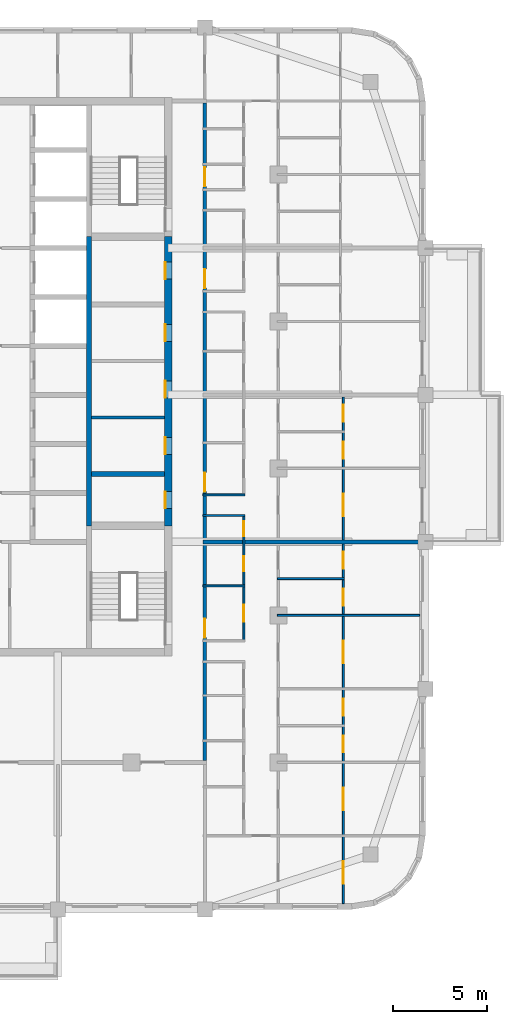
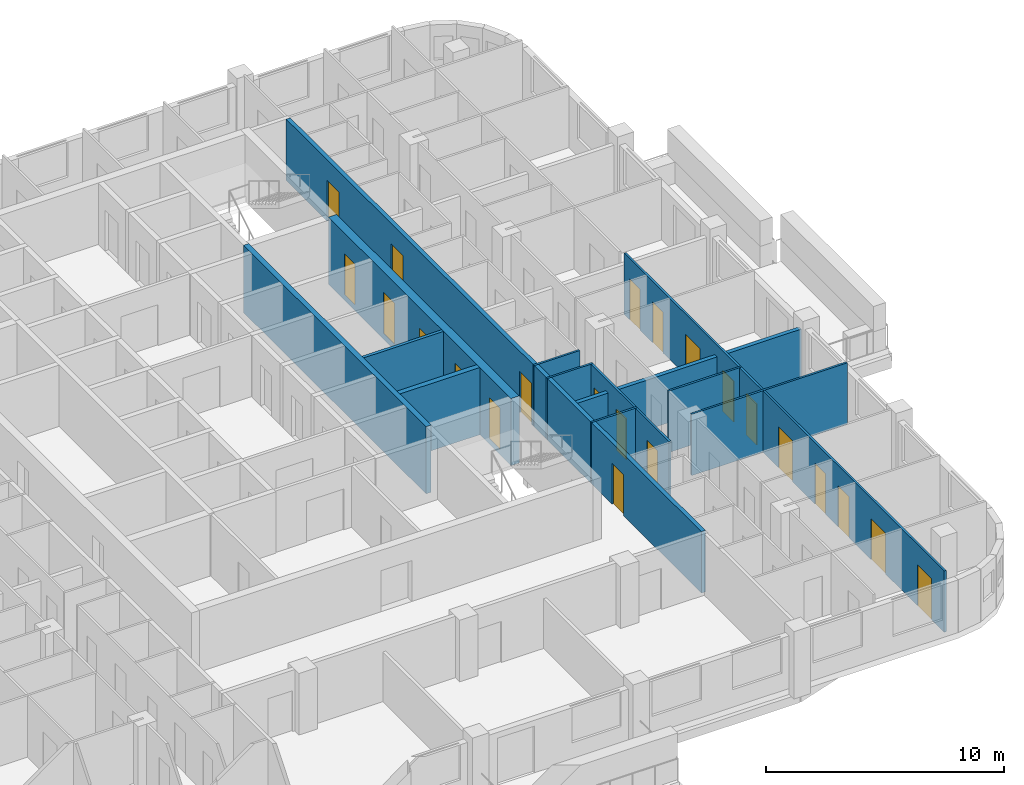
# One storey, part 6 of 15: 22 doors, 13 walls, 22 openings.
"""IFC4 building model written with IfcOpenShell, lengths in metres."""

from ifc_helpers import new_model, si_unit, direction, frame, frame_2d, origin, place, context, subcontext, project, spatial, rectangle, extrude, material, layer, layer_set, type_object, element, fill, save


model = new_model("IFC4")

# Units and contexts
model_context = context("Model", 3, precision=1e-05, world=origin(), true_north=direction((0.0, 1.0)))
body_context = subcontext(model_context, "Body", "Model", "MODEL_VIEW")
ifc_project = project(units=[si_unit("LENGTHUNIT", "METRE"), si_unit("AREAUNIT", "SQUARE_METRE"), si_unit("VOLUMEUNIT", "CUBIC_METRE"), si_unit("PLANEANGLEUNIT", "RADIAN"), si_unit("MASSUNIT", "GRAM", prefix="KILO")], contexts=[model_context])

# Site, building, storey
site_placement = place(None, origin())
site = spatial("IfcSite", under=ifc_project, at=site_placement, CompositionType="ELEMENT")
building_placement = place(site_placement, origin())
building = spatial("IfcBuilding", under=site, at=building_placement, Name="Ludao Terraces", CompositionType="ELEMENT")
storey_placement = place(building_placement, frame((0.0, 0.0, 197.300048828125)))
storey = spatial("IfcBuildingStorey", under=building, at=storey_placement, Name="L53", CompositionType="ELEMENT", Elevation=197.300048828125)

# Wall, openings, doors
ifc_material_1 = material(Name="Concrete C50", Category="concrete")
ifc_layer_1 = layer(ifc_material_1, 0.39990234375)
ifc_layer_set_1 = layer_set([ifc_layer_1], Name="Core wall 400 C50")
wall_type_1 = type_object("IfcWallType", Name="Core wall 400 C50", PredefinedType="SOLIDWALL", material=ifc_layer_set_1)
wall_1_placement = place(storey_placement, frame((94.75, 61.949951171875, -0.300048828125), z_axis=(0.0, 0.0, 1.0), x_axis=(0.0, 1.0, 0.0)))
wall_1 = element("IfcWall", 1, at=wall_1_placement, inside=storey, type_object=wall_type_1, Name="Core wall L53 outer-E", PredefinedType="SOLIDWALL", context=body_context, shape_type="SweptSolid", body=[
    extrude(rectangle(XDim=15.35009765625, YDim=0.39990234375, at=frame_2d((7.675048828125, 0.0))), origin(), (0.0, 0.0, 1.0), 3.449951171875),
])
opening_1_placement = place(wall_1_placement, frame((0.925048828125, 0.0, 0.300048828125)))
opening_1 = element("IfcOpeningElement", 2, at=opening_1_placement, cuts=wall_1, Name="Opening R19-057", PredefinedType="OPENING", context=body_context, shape_type="SweptSolid", body=[
    extrude(rectangle(XDim=0.89990234375, YDim=2.10009765625, at=frame_2d((0.449951171875, 1.050048828125))), frame((0.0, 0.2099609375, 0.0), z_axis=(0.0, -1.0, 0.0), x_axis=(1.0, 0.0, 0.0)), (0.0, 0.0, 1.0), 0.419921875),
])
opening_2_placement = place(wall_1_placement, frame((3.800048828125, 0.0, 0.300048828125)))
opening_2 = element("IfcOpeningElement", 3, at=opening_2_placement, cuts=wall_1, Name="Opening R19-067", PredefinedType="OPENING", context=body_context, shape_type="SweptSolid", body=[
    extrude(rectangle(XDim=0.89990234375, YDim=2.10009765625, at=frame_2d((0.449951171875, 1.050048828125))), frame((0.0, 0.2099609375, 0.0), z_axis=(0.0, -1.0, 0.0), x_axis=(1.0, 0.0, 0.0)), (0.0, 0.0, 1.0), 0.419921875),
])
opening_3_placement = place(wall_1_placement, frame((6.800048828125, 0.0, 0.300048828125)))
opening_3 = element("IfcOpeningElement", 4, at=opening_3_placement, cuts=wall_1, Name="Opening R19-078", PredefinedType="OPENING", context=body_context, shape_type="SweptSolid", body=[
    extrude(rectangle(XDim=0.89990234375, YDim=2.10009765625, at=frame_2d((0.449951171875, 1.050048828125))), frame((0.0, 0.2099609375, 0.0), z_axis=(0.0, -1.0, 0.0), x_axis=(1.0, 0.0, 0.0)), (0.0, 0.0, 1.0), 0.419921875),
])
opening_4_placement = place(wall_1_placement, frame((9.800048828125, 0.0, 0.300048828125)))
opening_4 = element("IfcOpeningElement", 5, at=opening_4_placement, cuts=wall_1, Name="Opening R19-089", PredefinedType="OPENING", context=body_context, shape_type="SweptSolid", body=[
    extrude(rectangle(XDim=0.89990234375, YDim=2.10009765625, at=frame_2d((0.449951171875, 1.050048828125))), frame((0.0, 0.2099609375, 0.0), z_axis=(0.0, -1.0, 0.0), x_axis=(1.0, 0.0, 0.0)), (0.0, 0.0, 1.0), 0.419921875),
])
opening_5_placement = place(wall_1_placement, frame((13.10009765625, 0.0, 0.300048828125)))
opening_5 = element("IfcOpeningElement", 6, at=opening_5_placement, cuts=wall_1, Name="Opening R19-101", PredefinedType="OPENING", context=body_context, shape_type="SweptSolid", body=[
    extrude(rectangle(XDim=0.89990234375, YDim=2.10009765625, at=frame_2d((0.449951171875, 1.050048828125))), frame((0.0, 0.2099609375, 0.0), z_axis=(0.0, -1.0, 0.0), x_axis=(1.0, 0.0, 0.0)), (0.0, 0.0, 1.0), 0.419921875),
])
ifc_material_2 = material(Name="Steel Q235", Category="steel")
door_type_1 = type_object("IfcDoorType", Name="INT Riser door 900", OperationType="SINGLE_SWING_LEFT", PredefinedType="DOOR", material=ifc_material_2)
door_1_placement = place(opening_1_placement, origin())
door_1 = element("IfcDoor", 7, at=door_1_placement, inside=storey, type_object=door_type_1, Name="DOOR 057", OperationType="SINGLE_SWING_LEFT", OverallHeight=2.10009765625, OverallWidth=0.89990234375, PredefinedType="DOOR", context=body_context, shape_type="SweptSolid", body=[
    extrude(rectangle(XDim=0.89990234375, YDim=2.10009765625, at=frame_2d((0.449951171875, 1.050048828125))), frame((0.0, 0.18505859375, 0.0), z_axis=(0.0, -1.0, 0.0), x_axis=(1.0, 0.0, 0.0)), (0.0, 0.0, 1.0), 0.050048828125),
])
fill(opening_1, door_1)
door_2_placement = place(opening_5_placement, origin())
door_2 = element("IfcDoor", 8, at=door_2_placement, inside=storey, type_object=door_type_1, Name="DOOR 101", OperationType="SINGLE_SWING_RIGHT", OverallHeight=2.10009765625, OverallWidth=0.89990234375, PredefinedType="DOOR", context=body_context, shape_type="SweptSolid", body=[
    extrude(rectangle(XDim=0.89990234375, YDim=2.10009765625, at=frame_2d((0.449951171875, 1.050048828125))), frame((0.0, 0.18505859375, 0.0), z_axis=(0.0, -1.0, 0.0), x_axis=(1.0, 0.0, 0.0)), (0.0, 0.0, 1.0), 0.050048828125),
])
fill(opening_5, door_2)
ifc_material_3 = material(Name="Timber door leaf", Category="wood")
door_type_2 = type_object("IfcDoorType", Name="INT Room door 900", OperationType="SINGLE_SWING_LEFT", PredefinedType="DOOR", material=ifc_material_3)
door_3_placement = place(opening_2_placement, origin())
door_3 = element("IfcDoor", 9, at=door_3_placement, inside=storey, type_object=door_type_2, Name="DOOR 067", OperationType="SINGLE_SWING_LEFT", OverallHeight=2.10009765625, OverallWidth=0.89990234375, PredefinedType="DOOR", context=body_context, shape_type="SweptSolid", body=[
    extrude(rectangle(XDim=0.89990234375, YDim=2.10009765625, at=frame_2d((0.449951171875, 1.050048828125))), frame((0.0, 0.18505859375, 0.0), z_axis=(0.0, -1.0, 0.0), x_axis=(1.0, 0.0, 0.0)), (0.0, 0.0, 1.0), 0.050048828125),
])
fill(opening_2, door_3)
door_4_placement = place(opening_3_placement, origin())
door_4 = element("IfcDoor", 10, at=door_4_placement, inside=storey, type_object=door_type_2, Name="DOOR 078", OperationType="SINGLE_SWING_RIGHT", OverallHeight=2.10009765625, OverallWidth=0.89990234375, PredefinedType="DOOR", context=body_context, shape_type="SweptSolid", body=[
    extrude(rectangle(XDim=0.89990234375, YDim=2.10009765625, at=frame_2d((0.449951171875, 1.050048828125))), frame((0.0, 0.18505859375, 0.0), z_axis=(0.0, -1.0, 0.0), x_axis=(1.0, 0.0, 0.0)), (0.0, 0.0, 1.0), 0.050048828125),
])
fill(opening_3, door_4)
door_5_placement = place(opening_4_placement, origin())
door_5 = element("IfcDoor", 11, at=door_5_placement, inside=storey, type_object=door_type_2, Name="DOOR 089", OperationType="SINGLE_SWING_RIGHT", OverallHeight=2.10009765625, OverallWidth=0.89990234375, PredefinedType="DOOR", context=body_context, shape_type="SweptSolid", body=[
    extrude(rectangle(XDim=0.89990234375, YDim=2.10009765625, at=frame_2d((0.449951171875, 1.050048828125))), frame((0.0, 0.18505859375, 0.0), z_axis=(0.0, -1.0, 0.0), x_axis=(1.0, 0.0, 0.0)), (0.0, 0.0, 1.0), 0.050048828125),
])
fill(opening_4, door_5)

# Wall
ifc_material_4 = material(Name="Fire-rated gypsum plasterboard", Category="gypsum")
ifc_layer_2 = layer(ifc_material_4, 0.012451171875, Category="gypsum")
ifc_material_5 = material(Name="Mineral wool")
ifc_layer_3 = layer(ifc_material_5, 0.10009765625, Name="insulation")
ifc_layer_4 = layer(ifc_material_2, 0.02490234375, Name="stud")
ifc_layer_5 = layer(ifc_material_4, 0.012451171875, Category="gypsum")
ifc_layer_set_2 = layer_set([ifc_layer_2, ifc_layer_3, ifc_layer_4, ifc_layer_5], Name="INT Core partition 150")
wall_type_2 = type_object("IfcWallType", Name="INT Core partition 150", PredefinedType="PARTITIONING", material=ifc_layer_set_2)
wall_2_placement = place(storey_placement, frame((90.675048828125, 67.699951171875, 0.0), z_axis=(0.0, 0.0, 1.0), x_axis=(1.0, 0.0, 0.0)))
element("IfcWall", 12, at=wall_2_placement, inside=storey, type_object=wall_type_2, Name="PW-L53-PW039", PredefinedType="PARTITIONING", context=body_context, shape_type="SweptSolid", body=[
    extrude(rectangle(XDim=3.875, YDim=0.14990234375, at=frame_2d((1.9375, 0.0))), origin(), (0.0, 0.0, 1.0), 3.14990234375),
])

# Wall, openings, doors
ifc_material_6 = material(Name="Autoclaved aerated concrete block B06 A3.5", Category="concrete")
ifc_layer_6 = layer(ifc_material_6, 0.199951171875)
ifc_layer_set_3 = layer_set([ifc_layer_6], Name="INT Entrance wall 200")
wall_type_3 = type_object("IfcWallType", Name="INT Entrance wall 200", PredefinedType="PARTITIONING", material=ifc_layer_set_3)
wall_3_placement = place(storey_placement, frame((96.699951171875, 49.5, 0.0), z_axis=(0.0, 0.0, 1.0), x_axis=(0.0, 1.0, 0.0)))
wall_3 = element("IfcWall", 13, at=wall_3_placement, inside=storey, type_object=wall_type_3, Name="PW-L53-PW095", PredefinedType="PARTITIONING", context=body_context, shape_type="SweptSolid", body=[
    extrude(rectangle(XDim=34.900146484375, YDim=0.199951171875, at=frame_2d((17.4501953125, 0.0))), origin(), (0.0, 0.0, 1.0), 3.14990234375),
])
opening_6_placement = place(wall_3_placement, frame((6.525146484375, 0.0, 0.0)))
opening_6 = element("IfcOpeningElement", 14, at=opening_6_placement, cuts=wall_3, Name="Opening R19-034", PredefinedType="OPENING", context=body_context, shape_type="SweptSolid", body=[
    extrude(rectangle(XDim=1.0, YDim=2.10009765625, at=frame_2d((0.5, 1.050048828125))), frame((0.0, 0.10986328125, 0.0), z_axis=(0.0, -1.0, 0.0), x_axis=(1.0, 0.0, 0.0)), (0.0, 0.0, 1.0), 0.219970703125),
])
opening_7_placement = place(wall_3_placement, frame((14.275146484375, 0.0, 0.0)))
opening_7 = element("IfcOpeningElement", 15, at=opening_7_placement, cuts=wall_3, Name="Opening R19-061", PredefinedType="OPENING", context=body_context, shape_type="SweptSolid", body=[
    extrude(rectangle(XDim=1.0, YDim=2.10009765625, at=frame_2d((0.5, 1.050048828125))), frame((0.0, 0.10986328125, 0.0), z_axis=(0.0, -1.0, 0.0), x_axis=(1.0, 0.0, 0.0)), (0.0, 0.0, 1.0), 0.219970703125),
])
opening_8_placement = place(wall_3_placement, frame((25.0751953125, 0.0, 0.0)))
opening_8 = element("IfcOpeningElement", 16, at=opening_8_placement, cuts=wall_3, Name="Opening R19-096", PredefinedType="OPENING", context=body_context, shape_type="SweptSolid", body=[
    extrude(rectangle(XDim=1.0, YDim=2.10009765625, at=frame_2d((0.5, 1.050048828125))), frame((0.0, 0.10986328125, 0.0), z_axis=(0.0, -1.0, 0.0), x_axis=(1.0, 0.0, 0.0)), (0.0, 0.0, 1.0), 0.219970703125),
])
opening_9_placement = place(wall_3_placement, frame((30.47509765625, 0.0, 0.0)))
opening_9 = element("IfcOpeningElement", 17, at=opening_9_placement, cuts=wall_3, Name="Opening R19-121", PredefinedType="OPENING", context=body_context, shape_type="SweptSolid", body=[
    extrude(rectangle(XDim=1.0, YDim=2.10009765625, at=frame_2d((0.5, 1.050048828125))), frame((0.0, 0.10986328125, 0.0), z_axis=(0.0, -1.0, 0.0), x_axis=(1.0, 0.0, 0.0)), (0.0, 0.0, 1.0), 0.219970703125),
])
door_type_3 = type_object("IfcDoorType", Name="INT Flat entrance door 1000", OperationType="SINGLE_SWING_LEFT", PredefinedType="DOOR", material=ifc_material_2)
door_6_placement = place(opening_6_placement, origin())
door_6 = element("IfcDoor", 18, at=door_6_placement, inside=storey, type_object=door_type_3, Name="DOOR 034", OperationType="SINGLE_SWING_LEFT", OverallHeight=2.10009765625, OverallWidth=1.0, PredefinedType="DOOR", context=body_context, shape_type="SweptSolid", body=[
    extrude(rectangle(XDim=1.0, YDim=2.10009765625, at=frame_2d((0.5, 1.050048828125))), frame((0.0, 0.02490234375, 0.0), z_axis=(0.0, -1.0, 0.0), x_axis=(1.0, 0.0, 0.0)), (0.0, 0.0, 1.0), 0.050048828125),
])
fill(opening_6, door_6)
door_7_placement = place(opening_7_placement, origin())
door_7 = element("IfcDoor", 19, at=door_7_placement, inside=storey, type_object=door_type_3, Name="DOOR 061", OperationType="SINGLE_SWING_LEFT", OverallHeight=2.10009765625, OverallWidth=1.0, PredefinedType="DOOR", context=body_context, shape_type="SweptSolid", body=[
    extrude(rectangle(XDim=1.0, YDim=2.10009765625, at=frame_2d((0.5, 1.050048828125))), frame((0.0, 0.02490234375, 0.0), z_axis=(0.0, -1.0, 0.0), x_axis=(1.0, 0.0, 0.0)), (0.0, 0.0, 1.0), 0.050048828125),
])
fill(opening_7, door_7)
door_8_placement = place(opening_8_placement, origin())
door_8 = element("IfcDoor", 20, at=door_8_placement, inside=storey, type_object=door_type_3, Name="DOOR 096", OperationType="SINGLE_SWING_LEFT", OverallHeight=2.10009765625, OverallWidth=1.0, PredefinedType="DOOR", context=body_context, shape_type="SweptSolid", body=[
    extrude(rectangle(XDim=1.0, YDim=2.10009765625, at=frame_2d((0.5, 1.050048828125))), frame((0.0, 0.02490234375, 0.0), z_axis=(0.0, -1.0, 0.0), x_axis=(1.0, 0.0, 0.0)), (0.0, 0.0, 1.0), 0.050048828125),
])
fill(opening_8, door_8)
door_9_placement = place(opening_9_placement, origin())
door_9 = element("IfcDoor", 21, at=door_9_placement, inside=storey, type_object=door_type_3, Name="DOOR 121", OperationType="SINGLE_SWING_LEFT", OverallHeight=2.10009765625, OverallWidth=1.0, PredefinedType="DOOR", context=body_context, shape_type="SweptSolid", body=[
    extrude(rectangle(XDim=1.0, YDim=2.10009765625, at=frame_2d((0.5, 1.050048828125))), frame((0.0, 0.02490234375, 0.0), z_axis=(0.0, -1.0, 0.0), x_axis=(1.0, 0.0, 0.0)), (0.0, 0.0, 1.0), 0.050048828125),
])
fill(opening_9, door_9)

# Walls
ifc_material_7 = material(Name="Gypsum plasterboard", Category="gypsum")
ifc_layer_7 = layer(ifc_material_7, 0.012451171875, Category="gypsum")
ifc_layer_8 = layer(ifc_material_5, 0.06005859375, Name="insulation")
ifc_layer_9 = layer(ifc_material_2, 0.014892578125, Name="stud")
ifc_layer_10 = layer(ifc_material_7, 0.012451171875, Category="gypsum")
ifc_layer_set_4 = layer_set([ifc_layer_7, ifc_layer_8, ifc_layer_9, ifc_layer_10], Name="INT Partition 100")
wall_type_4 = type_object("IfcWallType", Name="INT Partition 100", PredefinedType="PARTITIONING", material=ifc_layer_set_4)
wall_4_placement = place(storey_placement, frame((100.550048828125, 57.199951171875, 0.0), z_axis=(0.0, 0.0, 1.0), x_axis=(1.0, 0.0, 0.0)))
element("IfcWall", 22, at=wall_4_placement, inside=storey, type_object=wall_type_4, Name="PW-L53-PW019", PredefinedType="PARTITIONING", context=body_context, shape_type="SweptSolid", body=[
    extrude(rectangle(XDim=7.550048828125, YDim=0.10009765625, at=frame_2d((3.77490234375, 0.0))), origin(), (0.0, 0.0, 1.0), 3.14990234375),
])
wall_5_placement = place(storey_placement, frame((96.60009765625, 58.77001953125, 0.0), z_axis=(0.0, 0.0, 1.0), x_axis=(1.0, 0.0, 0.0)))
element("IfcWall", 23, at=wall_5_placement, inside=storey, type_object=wall_type_4, Name="PW-L53-PW021", PredefinedType="PARTITIONING", context=body_context, shape_type="SweptSolid", body=[
    extrude(rectangle(XDim=2.219970703125, YDim=0.10009765625, at=frame_2d((1.10986328125, 0.0))), origin(), (0.0, 0.0, 1.0), 3.14990234375),
])
wall_6_placement = place(storey_placement, frame((100.550048828125, 59.14990234375, 0.0), z_axis=(0.0, 0.0, 1.0), x_axis=(1.0, 0.0, 0.0)))
element("IfcWall", 24, at=wall_6_placement, inside=storey, type_object=wall_type_4, Name="PW-L53-PW024", PredefinedType="PARTITIONING", context=body_context, shape_type="SweptSolid", body=[
    extrude(rectangle(XDim=3.550048828125, YDim=0.10009765625, at=frame_2d((1.77490234375, 0.0))), origin(), (0.0, 0.0, 1.0), 3.14990234375),
])
for number, where, z_axis, x_axis, name in (
    (25, (96.60009765625, 62.5, 0.0), (0.0, 0.0, 1.0), (1.0, 0.0, 0.0), "PW-L53-PW028"),
    (26, (96.60009765625, 63.60009765625, 0.0), (0.0, 0.0, 1.0), (1.0, 0.0, 0.0), "PW-L53-PW030"),
):
    element("IfcWall", number, at=place(storey_placement, frame(where, z_axis=z_axis, x_axis=x_axis)), inside=storey, type_object=wall_type_4, Name=name, PredefinedType="PARTITIONING", context=body_context, shape_type="SweptSolid", body=[
        extrude(rectangle(XDim=2.219970703125, YDim=0.10009765625, at=frame_2d((1.10986328125, 0.0))), origin(), (0.0, 0.0, 1.0), 3.14990234375),
    ])

# Wall, openings, doors
wall_7_placement = place(storey_placement, frame((98.77001953125, 55.900146484375, 0.0), z_axis=(0.0, 0.0, 1.0), x_axis=(0.0, 1.0, 0.0)))
wall_7 = element("IfcWall", 27, at=wall_7_placement, inside=storey, type_object=wall_type_4, Name="PW-L53-PW098", PredefinedType="PARTITIONING", context=body_context, shape_type="SweptSolid", body=[
    extrude(rectangle(XDim=6.550048828125, YDim=0.10009765625, at=frame_2d((3.27490234375, 0.0))), origin(), (0.0, 0.0, 1.0), 3.14990234375),
])
opening_10_placement = place(wall_7_placement, frame((0.9599609375, 0.0, 0.0)))
opening_10 = element("IfcOpeningElement", 28, at=opening_10_placement, cuts=wall_7, Name="Opening R19-036", PredefinedType="OPENING", context=body_context, shape_type="SweptSolid", body=[
    extrude(rectangle(XDim=0.89990234375, YDim=2.10009765625, at=frame_2d((0.449951171875, 1.050048828125))), frame((0.0, 0.06005859375, 0.0), z_axis=(0.0, -1.0, 0.0), x_axis=(1.0, 0.0, 0.0)), (0.0, 0.0, 1.0), 0.1201171875),
])
opening_11_placement = place(wall_7_placement, frame((3.635009765625, 0.0, 0.0)))
opening_11 = element("IfcOpeningElement", 29, at=opening_11_placement, cuts=wall_7, Name="Opening R19-042", PredefinedType="OPENING", context=body_context, shape_type="SweptSolid", body=[
    extrude(rectangle(XDim=0.800048828125, YDim=2.10009765625, at=frame_2d((0.39990234375, 1.050048828125))), frame((0.0, 0.06005859375, 0.0), z_axis=(0.0, -1.0, 0.0), x_axis=(1.0, 0.0, 0.0)), (0.0, 0.0, 1.0), 0.1201171875),
])
opening_12_placement = place(wall_7_placement, frame((5.5, 0.0, 0.0)))
opening_12 = element("IfcOpeningElement", 30, at=opening_12_placement, cuts=wall_7, Name="Opening R19-049", PredefinedType="OPENING", context=body_context, shape_type="SweptSolid", body=[
    extrude(rectangle(XDim=0.800048828125, YDim=2.10009765625, at=frame_2d((0.39990234375, 1.050048828125))), frame((0.0, 0.06005859375, 0.0), z_axis=(0.0, -1.0, 0.0), x_axis=(1.0, 0.0, 0.0)), (0.0, 0.0, 1.0), 0.1201171875),
])
door_10_placement = place(opening_10_placement, origin())
door_10 = element("IfcDoor", 31, at=door_10_placement, inside=storey, type_object=door_type_2, Name="DOOR 036", OperationType="SINGLE_SWING_LEFT", OverallHeight=2.10009765625, OverallWidth=0.89990234375, PredefinedType="DOOR", context=body_context, shape_type="SweptSolid", body=[
    extrude(rectangle(XDim=0.89990234375, YDim=2.10009765625, at=frame_2d((0.449951171875, 1.050048828125))), frame((0.0, 0.02490234375, 0.0), z_axis=(0.0, -1.0, 0.0), x_axis=(1.0, 0.0, 0.0)), (0.0, 0.0, 1.0), 0.050048828125),
])
fill(opening_10, door_10)
door_type_4 = type_object("IfcDoorType", Name="INT Store door 800", OperationType="SINGLE_SWING_LEFT", PredefinedType="DOOR", material=ifc_material_3)
door_11_placement = place(opening_11_placement, origin())
door_11 = element("IfcDoor", 32, at=door_11_placement, inside=storey, type_object=door_type_4, Name="DOOR 042", OperationType="SINGLE_SWING_RIGHT", OverallHeight=2.10009765625, OverallWidth=0.800048828125, PredefinedType="DOOR", context=body_context, shape_type="SweptSolid", body=[
    extrude(rectangle(XDim=0.800048828125, YDim=2.10009765625, at=frame_2d((0.39990234375, 1.050048828125))), frame((0.0, 0.02490234375, 0.0), z_axis=(0.0, -1.0, 0.0), x_axis=(1.0, 0.0, 0.0)), (0.0, 0.0, 1.0), 0.050048828125),
])
fill(opening_11, door_11)
door_12_placement = place(opening_12_placement, origin())
door_12 = element("IfcDoor", 33, at=door_12_placement, inside=storey, type_object=door_type_4, Name="DOOR 049", OperationType="SINGLE_SWING_LEFT", OverallHeight=2.10009765625, OverallWidth=0.800048828125, PredefinedType="DOOR", context=body_context, shape_type="SweptSolid", body=[
    extrude(rectangle(XDim=0.800048828125, YDim=2.10009765625, at=frame_2d((0.39990234375, 1.050048828125))), frame((0.0, 0.02490234375, 0.0), z_axis=(0.0, -1.0, 0.0), x_axis=(1.0, 0.0, 0.0)), (0.0, 0.0, 1.0), 0.050048828125),
])
fill(opening_12, door_12)

wall_8_placement = place(storey_placement, frame((104.050048828125, 41.900146484375, 0.0), z_axis=(0.0, 0.0, 1.0), x_axis=(0.0, 1.0, 0.0)))
wall_8 = element("IfcWall", 34, at=wall_8_placement, inside=storey, type_object=wall_type_4, Name="PW-L53-PW104", PredefinedType="PARTITIONING", context=body_context, shape_type="SweptSolid", body=[
    extrude(rectangle(XDim=26.89990234375, YDim=0.10009765625, at=frame_2d((13.449951171875, 0.0))), origin(), (0.0, 0.0, 1.0), 3.14990234375),
])
opening_13_placement = place(wall_8_placement, frame((1.050048828125, 0.0, 0.0)))
opening_13 = element("IfcOpeningElement", 35, at=opening_13_placement, cuts=wall_8, Name="Opening R19-004", PredefinedType="OPENING", context=body_context, shape_type="SweptSolid", body=[
    extrude(rectangle(XDim=1.199951171875, YDim=2.10009765625, at=frame_2d((0.60009765625, 1.050048828125))), frame((0.0, 0.06005859375, 0.0), z_axis=(0.0, -1.0, 0.0), x_axis=(1.0, 0.0, 0.0)), (0.0, 0.0, 1.0), 0.1201171875),
])
opening_14_placement = place(wall_8_placement, frame((4.949951171875, 0.0, 0.0)))
opening_14 = element("IfcOpeningElement", 36, at=opening_14_placement, cuts=wall_8, Name="Opening R19-012", PredefinedType="OPENING", context=body_context, shape_type="SweptSolid", body=[
    extrude(rectangle(XDim=1.199951171875, YDim=2.10009765625, at=frame_2d((0.60009765625, 1.050048828125))), frame((0.0, 0.06005859375, 0.0), z_axis=(0.0, -1.0, 0.0), x_axis=(1.0, 0.0, 0.0)), (0.0, 0.0, 1.0), 0.1201171875),
])
opening_15_placement = place(wall_8_placement, frame((8.02490234375, 0.0, 0.0)))
opening_15 = element("IfcOpeningElement", 37, at=opening_15_placement, cuts=wall_8, Name="Opening R19-018", PredefinedType="OPENING", context=body_context, shape_type="SweptSolid", body=[
    extrude(rectangle(XDim=0.89990234375, YDim=2.10009765625, at=frame_2d((0.449951171875, 1.050048828125))), frame((0.0, 0.06005859375, 0.0), z_axis=(0.0, -1.0, 0.0), x_axis=(1.0, 0.0, 0.0)), (0.0, 0.0, 1.0), 0.1201171875),
])
opening_16_placement = place(wall_8_placement, frame((9.97509765625, 0.0, 0.0)))
opening_16 = element("IfcOpeningElement", 38, at=opening_16_placement, cuts=wall_8, Name="Opening R19-024", PredefinedType="OPENING", context=body_context, shape_type="SweptSolid", body=[
    extrude(rectangle(XDim=0.89990234375, YDim=2.10009765625, at=frame_2d((0.449951171875, 1.050048828125))), frame((0.0, 0.06005859375, 0.0), z_axis=(0.0, -1.0, 0.0), x_axis=(1.0, 0.0, 0.0)), (0.0, 0.0, 1.0), 0.1201171875),
])
opening_17_placement = place(wall_8_placement, frame((12.75, 0.0, 0.0)))
opening_17 = element("IfcOpeningElement", 39, at=opening_17_placement, cuts=wall_8, Name="Opening R19-030", PredefinedType="OPENING", context=body_context, shape_type="SweptSolid", body=[
    extrude(rectangle(XDim=1.199951171875, YDim=2.10009765625, at=frame_2d((0.60009765625, 1.050048828125))), frame((0.0, 0.06005859375, 0.0), z_axis=(0.0, -1.0, 0.0), x_axis=(1.0, 0.0, 0.0)), (0.0, 0.0, 1.0), 0.1201171875),
])
opening_18_placement = place(wall_8_placement, frame((15.824951171875, 0.0, 0.0)))
opening_18 = element("IfcOpeningElement", 40, at=opening_18_placement, cuts=wall_8, Name="Opening R19-040", PredefinedType="OPENING", context=body_context, shape_type="SweptSolid", body=[
    extrude(rectangle(XDim=0.89990234375, YDim=2.10009765625, at=frame_2d((0.449951171875, 1.050048828125))), frame((0.0, 0.06005859375, 0.0), z_axis=(0.0, -1.0, 0.0), x_axis=(1.0, 0.0, 0.0)), (0.0, 0.0, 1.0), 0.1201171875),
])
opening_19_placement = place(wall_8_placement, frame((17.77490234375, 0.0, 0.0)))
opening_19 = element("IfcOpeningElement", 41, at=opening_19_placement, cuts=wall_8, Name="Opening R19-047", PredefinedType="OPENING", context=body_context, shape_type="SweptSolid", body=[
    extrude(rectangle(XDim=0.89990234375, YDim=2.10009765625, at=frame_2d((0.449951171875, 1.050048828125))), frame((0.0, 0.06005859375, 0.0), z_axis=(0.0, -1.0, 0.0), x_axis=(1.0, 0.0, 0.0)), (0.0, 0.0, 1.0), 0.1201171875),
])
opening_20_placement = place(wall_8_placement, frame((20.550048828125, 0.0, 0.0)))
opening_20 = element("IfcOpeningElement", 42, at=opening_20_placement, cuts=wall_8, Name="Opening R19-056", PredefinedType="OPENING", context=body_context, shape_type="SweptSolid", body=[
    extrude(rectangle(XDim=1.199951171875, YDim=2.10009765625, at=frame_2d((0.60009765625, 1.050048828125))), frame((0.0, 0.06005859375, 0.0), z_axis=(0.0, -1.0, 0.0), x_axis=(1.0, 0.0, 0.0)), (0.0, 0.0, 1.0), 0.1201171875),
])
opening_21_placement = place(wall_8_placement, frame((23.625, 0.0, 0.0)))
opening_21 = element("IfcOpeningElement", 43, at=opening_21_placement, cuts=wall_8, Name="Opening R19-066", PredefinedType="OPENING", context=body_context, shape_type="SweptSolid", body=[
    extrude(rectangle(XDim=0.89990234375, YDim=2.10009765625, at=frame_2d((0.449951171875, 1.050048828125))), frame((0.0, 0.06005859375, 0.0), z_axis=(0.0, -1.0, 0.0), x_axis=(1.0, 0.0, 0.0)), (0.0, 0.0, 1.0), 0.1201171875),
])
opening_22_placement = place(wall_8_placement, frame((25.574951171875, 0.0, 0.0)))
opening_22 = element("IfcOpeningElement", 44, at=opening_22_placement, cuts=wall_8, Name="Opening R19-075", PredefinedType="OPENING", context=body_context, shape_type="SweptSolid", body=[
    extrude(rectangle(XDim=0.89990234375, YDim=2.10009765625, at=frame_2d((0.449951171875, 1.050048828125))), frame((0.0, 0.06005859375, 0.0), z_axis=(0.0, -1.0, 0.0), x_axis=(1.0, 0.0, 0.0)), (0.0, 0.0, 1.0), 0.1201171875),
])
door_type_5 = type_object("IfcDoorType", Name="INT Bathroom door 900", OperationType="SINGLE_SWING_LEFT", PredefinedType="DOOR", material=ifc_material_3)
door_13_placement = place(opening_15_placement, origin())
door_13 = element("IfcDoor", 45, at=door_13_placement, inside=storey, type_object=door_type_5, Name="DOOR 018", OperationType="SINGLE_SWING_LEFT", OverallHeight=2.10009765625, OverallWidth=0.89990234375, PredefinedType="DOOR", context=body_context, shape_type="SweptSolid", body=[
    extrude(rectangle(XDim=0.89990234375, YDim=2.10009765625, at=frame_2d((0.449951171875, 1.050048828125))), frame((0.0, 0.02490234375, 0.0), z_axis=(0.0, -1.0, 0.0), x_axis=(1.0, 0.0, 0.0)), (0.0, 0.0, 1.0), 0.050048828125),
])
fill(opening_15, door_13)
door_14_placement = place(opening_18_placement, origin())
door_14 = element("IfcDoor", 46, at=door_14_placement, inside=storey, type_object=door_type_5, Name="DOOR 040", OperationType="SINGLE_SWING_RIGHT", OverallHeight=2.10009765625, OverallWidth=0.89990234375, PredefinedType="DOOR", context=body_context, shape_type="SweptSolid", body=[
    extrude(rectangle(XDim=0.89990234375, YDim=2.10009765625, at=frame_2d((0.449951171875, 1.050048828125))), frame((0.0, 0.02490234375, 0.0), z_axis=(0.0, -1.0, 0.0), x_axis=(1.0, 0.0, 0.0)), (0.0, 0.0, 1.0), 0.050048828125),
])
fill(opening_18, door_14)
door_15_placement = place(opening_21_placement, origin())
door_15 = element("IfcDoor", 47, at=door_15_placement, inside=storey, type_object=door_type_5, Name="DOOR 066", OperationType="SINGLE_SWING_RIGHT", OverallHeight=2.10009765625, OverallWidth=0.89990234375, PredefinedType="DOOR", context=body_context, shape_type="SweptSolid", body=[
    extrude(rectangle(XDim=0.89990234375, YDim=2.10009765625, at=frame_2d((0.449951171875, 1.050048828125))), frame((0.0, 0.02490234375, 0.0), z_axis=(0.0, -1.0, 0.0), x_axis=(1.0, 0.0, 0.0)), (0.0, 0.0, 1.0), 0.050048828125),
])
fill(opening_21, door_15)
door_type_6 = type_object("IfcDoorType", Name="INT Double door 1200", OperationType="DOUBLE_DOOR_SINGLE_SWING", PredefinedType="DOOR", material=ifc_material_3)
door_16_placement = place(opening_13_placement, origin())
door_16 = element("IfcDoor", 48, at=door_16_placement, inside=storey, type_object=door_type_6, Name="DOOR 004", OperationType="DOUBLE_DOOR_SINGLE_SWING", OverallHeight=2.10009765625, OverallWidth=1.199951171875, PredefinedType="DOOR", context=body_context, shape_type="SweptSolid", body=[
    extrude(rectangle(XDim=1.199951171875, YDim=2.10009765625, at=frame_2d((0.60009765625, 1.050048828125))), frame((0.0, 0.02490234375, 0.0), z_axis=(0.0, -1.0, 0.0), x_axis=(1.0, 0.0, 0.0)), (0.0, 0.0, 1.0), 0.050048828125),
])
fill(opening_13, door_16)
door_17_placement = place(opening_14_placement, origin())
door_17 = element("IfcDoor", 49, at=door_17_placement, inside=storey, type_object=door_type_6, Name="DOOR 012", OperationType="DOUBLE_DOOR_SINGLE_SWING", OverallHeight=2.10009765625, OverallWidth=1.199951171875, PredefinedType="DOOR", context=body_context, shape_type="SweptSolid", body=[
    extrude(rectangle(XDim=1.199951171875, YDim=2.10009765625, at=frame_2d((0.60009765625, 1.050048828125))), frame((0.0, 0.02490234375, 0.0), z_axis=(0.0, -1.0, 0.0), x_axis=(1.0, 0.0, 0.0)), (0.0, 0.0, 1.0), 0.050048828125),
])
fill(opening_14, door_17)
door_18_placement = place(opening_17_placement, origin())
door_18 = element("IfcDoor", 50, at=door_18_placement, inside=storey, type_object=door_type_6, Name="DOOR 030", OperationType="DOUBLE_DOOR_SINGLE_SWING", OverallHeight=2.10009765625, OverallWidth=1.199951171875, PredefinedType="DOOR", context=body_context, shape_type="SweptSolid", body=[
    extrude(rectangle(XDim=1.199951171875, YDim=2.10009765625, at=frame_2d((0.60009765625, 1.050048828125))), frame((0.0, 0.02490234375, 0.0), z_axis=(0.0, -1.0, 0.0), x_axis=(1.0, 0.0, 0.0)), (0.0, 0.0, 1.0), 0.050048828125),
])
fill(opening_17, door_18)
door_19_placement = place(opening_20_placement, origin())
door_19 = element("IfcDoor", 51, at=door_19_placement, inside=storey, type_object=door_type_6, Name="DOOR 056", OperationType="DOUBLE_DOOR_SINGLE_SWING", OverallHeight=2.10009765625, OverallWidth=1.199951171875, PredefinedType="DOOR", context=body_context, shape_type="SweptSolid", body=[
    extrude(rectangle(XDim=1.199951171875, YDim=2.10009765625, at=frame_2d((0.60009765625, 1.050048828125))), frame((0.0, 0.02490234375, 0.0), z_axis=(0.0, -1.0, 0.0), x_axis=(1.0, 0.0, 0.0)), (0.0, 0.0, 1.0), 0.050048828125),
])
fill(opening_20, door_19)
door_20_placement = place(opening_16_placement, origin())
door_20 = element("IfcDoor", 52, at=door_20_placement, inside=storey, type_object=door_type_2, Name="DOOR 024", OperationType="SINGLE_SWING_LEFT", OverallHeight=2.10009765625, OverallWidth=0.89990234375, PredefinedType="DOOR", context=body_context, shape_type="SweptSolid", body=[
    extrude(rectangle(XDim=0.89990234375, YDim=2.10009765625, at=frame_2d((0.449951171875, 1.050048828125))), frame((0.0, 0.02490234375, 0.0), z_axis=(0.0, -1.0, 0.0), x_axis=(1.0, 0.0, 0.0)), (0.0, 0.0, 1.0), 0.050048828125),
])
fill(opening_16, door_20)
door_21_placement = place(opening_19_placement, origin())
door_21 = element("IfcDoor", 53, at=door_21_placement, inside=storey, type_object=door_type_2, Name="DOOR 047", OperationType="SINGLE_SWING_RIGHT", OverallHeight=2.10009765625, OverallWidth=0.89990234375, PredefinedType="DOOR", context=body_context, shape_type="SweptSolid", body=[
    extrude(rectangle(XDim=0.89990234375, YDim=2.10009765625, at=frame_2d((0.449951171875, 1.050048828125))), frame((0.0, 0.02490234375, 0.0), z_axis=(0.0, -1.0, 0.0), x_axis=(1.0, 0.0, 0.0)), (0.0, 0.0, 1.0), 0.050048828125),
])
fill(opening_19, door_21)
door_22_placement = place(opening_22_placement, origin())
door_22 = element("IfcDoor", 54, at=door_22_placement, inside=storey, type_object=door_type_2, Name="DOOR 075", OperationType="SINGLE_SWING_RIGHT", OverallHeight=2.10009765625, OverallWidth=0.89990234375, PredefinedType="DOOR", context=body_context, shape_type="SweptSolid", body=[
    extrude(rectangle(XDim=0.89990234375, YDim=2.10009765625, at=frame_2d((0.449951171875, 1.050048828125))), frame((0.0, 0.02490234375, 0.0), z_axis=(0.0, -1.0, 0.0), x_axis=(1.0, 0.0, 0.0)), (0.0, 0.0, 1.0), 0.050048828125),
])
fill(opening_22, door_22)

# Walls
ifc_layer_11 = layer(ifc_material_6, 0.199951171875)
ifc_layer_set_5 = layer_set([ifc_layer_11], Name="INT Party wall 200")
wall_type_5 = type_object("IfcWallType", Name="INT Party wall 200", PredefinedType="PARTITIONING", material=ifc_layer_set_5)
wall_9_placement = place(storey_placement, frame((96.60009765625, 61.10009765625, 0.0), z_axis=(0.0, 0.0, 1.0), x_axis=(1.0, 0.0, 0.0)))
element("IfcWall", 55, at=wall_9_placement, inside=storey, type_object=wall_type_5, Name="PW-L53-PW027", PredefinedType="PARTITIONING", context=body_context, shape_type="SweptSolid", body=[
    extrude(rectangle(XDim=11.5, YDim=0.199951171875, at=frame_2d((5.75, 0.0))), origin(), (0.0, 0.0, 1.0), 2.5498046875),
])
ifc_layer_12 = layer(ifc_material_1, 0.25)
ifc_layer_set_6 = layer_set([ifc_layer_12], Name="Shaft wall 250 C50")
wall_type_6 = type_object("IfcWallType", Name="Shaft wall 250 C50", PredefinedType="SOLIDWALL", material=ifc_layer_set_6)
wall_10_placement = place(storey_placement, frame((90.550048828125, 61.949951171875, -0.300048828125), z_axis=(0.0, 0.0, 1.0), x_axis=(0.0, 1.0, 0.0)))
element("IfcWall", 56, at=wall_10_placement, inside=storey, type_object=wall_type_6, Name="Core wall L53 back-E", PredefinedType="SOLIDWALL", context=body_context, shape_type="SweptSolid", body=[
    extrude(rectangle(XDim=15.35009765625, YDim=0.25, at=frame_2d((7.675048828125, 0.0))), origin(), (0.0, 0.0, 1.0), 3.449951171875),
])
wall_11_placement = place(storey_placement, frame((90.675048828125, 64.699951171875, -0.300048828125), z_axis=(0.0, 0.0, 1.0), x_axis=(1.0, 0.0, 0.0)))
element("IfcWall", 57, at=wall_11_placement, inside=storey, type_object=wall_type_6, Name="Core wall L53 riser-a-E", PredefinedType="SOLIDWALL", context=body_context, shape_type="SweptSolid", body=[
    extrude(rectangle(XDim=3.875, YDim=0.25, at=frame_2d((1.9375, 0.0))), origin(), (0.0, 0.0, 1.0), 3.449951171875),
])

save(model, "model.ifc")
